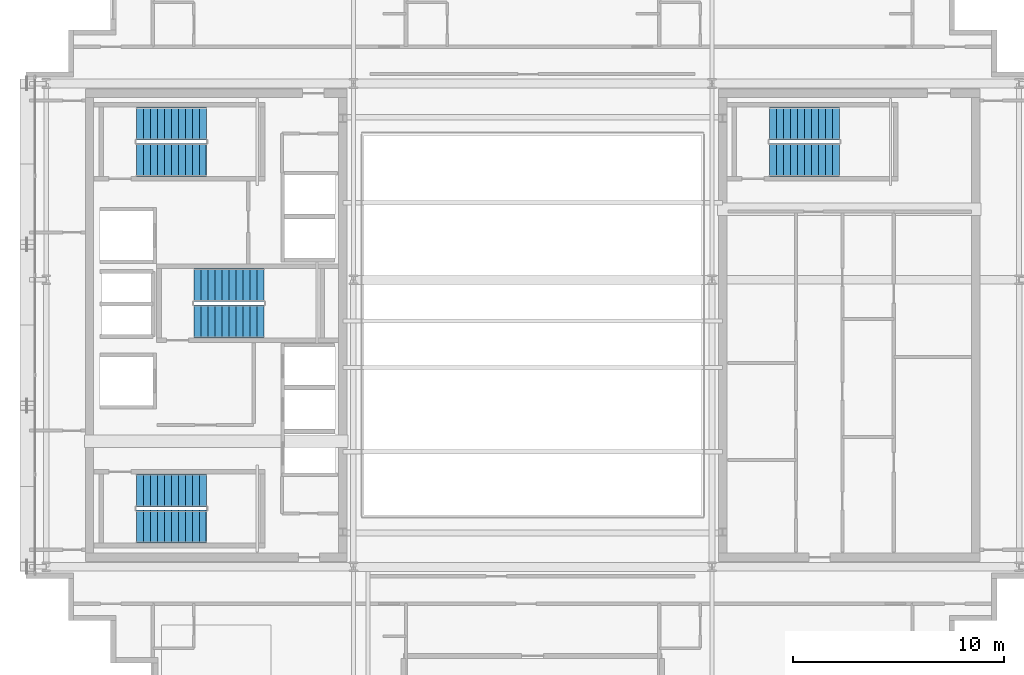
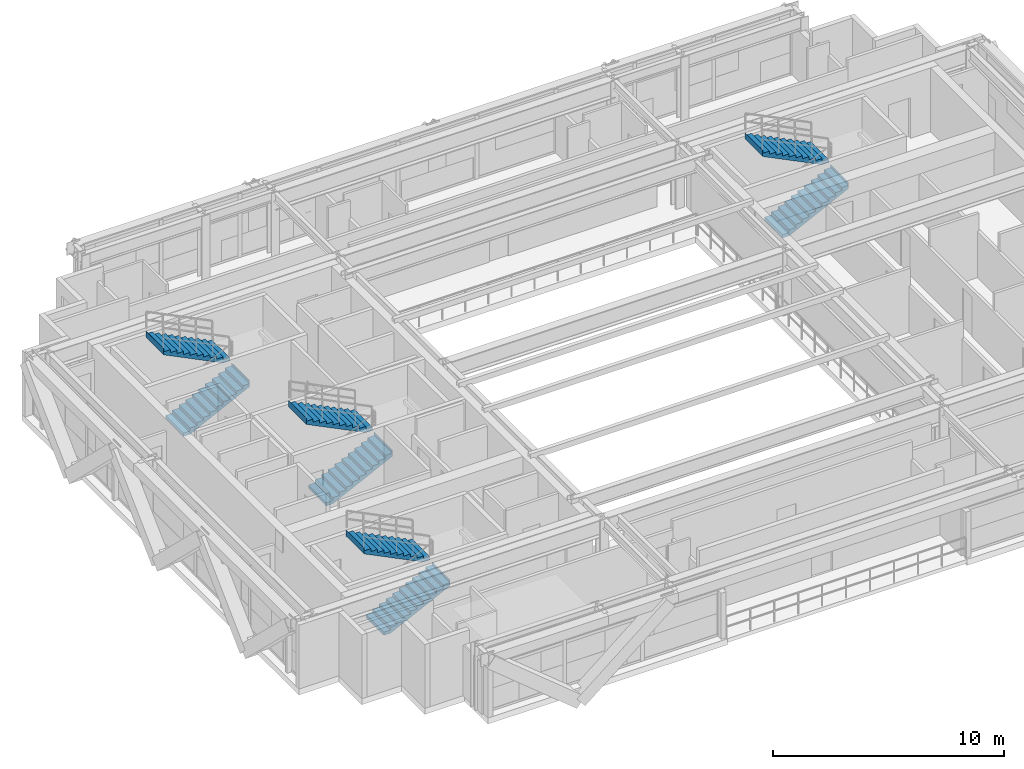
# One storey, part 25 of 29: 8 stair flights, 4 elements without a shape of their own.
"""IFC4 building model written with IfcOpenShell, lengths in metres."""

from ifc_helpers import new_model, si_unit, direction, frame, origin, place, context, subcontext, project, spatial, polyline, outline, extrude, source, transform, mapped, material, type_object, element, aggregate, save


model = new_model("IFC4")

# Units and contexts
model_context = context("Model", 3, precision=1e-05, world=origin(), true_north=direction((0.0, 1.0)))
body_context = subcontext(model_context, "Body", "Model", "MODEL_VIEW")
ifc_project = project(units=[si_unit("LENGTHUNIT", "METRE"), si_unit("AREAUNIT", "SQUARE_METRE"), si_unit("VOLUMEUNIT", "CUBIC_METRE"), si_unit("PLANEANGLEUNIT", "RADIAN"), si_unit("MASSUNIT", "GRAM", prefix="KILO")], contexts=[model_context])

# Site, building, storey
site_placement = place(None, origin())
site = spatial("IfcSite", under=ifc_project, at=site_placement, CompositionType="ELEMENT")
building_placement = place(site_placement, origin())
building = spatial("IfcBuilding", under=site, at=building_placement, Name="Ocotamira Hotel", CompositionType="ELEMENT")
storey_placement = place(building_placement, frame((0.0, 0.0, 247.199951171875)))
storey = spatial("IfcBuildingStorey", under=building, at=storey_placement, Name="L62", CompositionType="ELEMENT", Elevation=247.199951171875)

# Stair, stair flights
ifc_material = material(Name="Concrete C40/50", Category="concrete")
stair_type = type_object("IfcStairType", Name="ST-CORE-1560", PredefinedType="HALF_TURN_STAIR", material=ifc_material)
stair_1_placement = place(storey_placement, origin())
stair_1 = element("IfcStair", 1, at=stair_1_placement, inside=storey, type_object=stair_type, Name="L62 Exit Stair ST-1", PredefinedType="HALF_TURN_STAIR")
stair_flight_type = type_object("IfcStairFlightType", Name="STF-CORE-1560", PredefinedType="STRAIGHT", material=ifc_material)
shared_shape = source(origin(), body_context, "Body", "SweptSolid", [
    extrude(outline(polyline([(-0.00390625, 0.0), (-0.00390625, 0.16357421875), (0.330078125, 0.16357421875), (0.330078125, 0.327392578125), (0.659912109375, 0.327392578125), (0.659912109375, 0.490966796875), (0.989990234375, 0.490966796875), (0.989990234375, 0.654541015625), (1.320068359375, 0.654541015625), (1.320068359375, 0.818115234375), (1.64990234375, 0.818115234375), (1.64990234375, 0.98193359375), (1.97998046875, 0.98193359375), (1.97998046875, 1.1455078125), (2.31005859375, 1.1455078125), (2.31005859375, 1.30908203125), (2.639892578125, 1.30908203125), (2.639892578125, 1.47265625), (2.969970703125, 1.47265625), (2.969970703125, 1.636474609375), (3.300048828125, 1.636474609375), (3.300048828125, 1.800048828125), (3.303955078125, 1.800048828125), (3.303955078125, 1.468994140625), (0.33740234375, 0.0), (-0.00390625, 0.0)])), frame((0.0, 0.780029296875, 0.0), z_axis=(0.0, -1.0, 0.0), x_axis=(1.0, 0.0, 0.0)), (0.0, 0.0, 1.0), 1.56005859375),
])
stair_flight_1_placement = place(storey_placement, frame((13.22998046875, 16.449951171875, 0.0), z_axis=(0.0, 0.0, 1.0), x_axis=(1.0, 0.0, 0.0)))
stair_flight_1 = element("IfcStairFlight", 2, at=stair_flight_1_placement, type_object=stair_flight_type, Name="ST-1 flight 1", NumberOfRisers=11, NumberOfTreads=10, PredefinedType="STRAIGHT", RiserHeight=0.163636364, TreadLength=0.33, context=body_context, shape_type="MappedRepresentation", body=[
    mapped(shared_shape, transform((0.0, 0.0, 0.0), scale=1.0)),
])
stair_flight_2_placement = place(storey_placement, frame((16.530029296875, 18.169921875, 1.800048828125), z_axis=(0.0, 0.0, 1.0), x_axis=(-1.0, 0.0, 0.0)))
stair_flight_2 = element("IfcStairFlight", 3, at=stair_flight_2_placement, type_object=stair_flight_type, Name="ST-1 flight 2", NumberOfRisers=11, NumberOfTreads=10, PredefinedType="STRAIGHT", RiserHeight=0.163636364, TreadLength=0.33, context=body_context, shape_type="MappedRepresentation", body=[
    mapped(shared_shape, transform((0.0, 0.0, 0.0), scale=1.0)),
])
aggregate(stair_1, [stair_flight_1, stair_flight_2])

stair_2_placement = place(storey_placement, origin())
stair_2 = element("IfcStair", 4, at=stair_2_placement, inside=storey, type_object=stair_type, Name="L62 Exit Stair ST-2", PredefinedType="HALF_TURN_STAIR")
stair_flight_3_placement = place(storey_placement, frame((13.22998046875, 33.830078125, 0.0), z_axis=(0.0, 0.0, 1.0), x_axis=(1.0, 0.0, 0.0)))
stair_flight_3 = element("IfcStairFlight", 5, at=stair_flight_3_placement, type_object=stair_flight_type, Name="ST-2 flight 1", NumberOfRisers=11, NumberOfTreads=10, PredefinedType="STRAIGHT", RiserHeight=0.163636364, TreadLength=0.33, context=body_context, shape_type="MappedRepresentation", body=[
    mapped(shared_shape, transform((0.0, 0.0, 0.0), scale=1.0)),
])
stair_flight_4_placement = place(storey_placement, frame((16.530029296875, 35.550048828125, 1.800048828125), z_axis=(0.0, 0.0, 1.0), x_axis=(-1.0, 0.0, 0.0)))
stair_flight_4 = element("IfcStairFlight", 6, at=stair_flight_4_placement, type_object=stair_flight_type, Name="ST-2 flight 2", NumberOfRisers=11, NumberOfTreads=10, PredefinedType="STRAIGHT", RiserHeight=0.163636364, TreadLength=0.33, context=body_context, shape_type="MappedRepresentation", body=[
    mapped(shared_shape, transform((0.0, 0.0, 0.0), scale=1.0)),
])
aggregate(stair_2, [stair_flight_3, stair_flight_4])

stair_3_placement = place(storey_placement, origin())
stair_3 = element("IfcStair", 7, at=stair_3_placement, inside=storey, type_object=stair_type, Name="L62 Exit Stair ST-3", PredefinedType="HALF_TURN_STAIR")
stair_flight_5_placement = place(storey_placement, frame((15.9599609375, 26.179931640625, 0.0), z_axis=(0.0, 0.0, 1.0), x_axis=(1.0, 0.0, 0.0)))
stair_flight_5 = element("IfcStairFlight", 8, at=stair_flight_5_placement, type_object=stair_flight_type, Name="ST-3 flight 1", NumberOfRisers=11, NumberOfTreads=10, PredefinedType="STRAIGHT", RiserHeight=0.163636364, TreadLength=0.33, context=body_context, shape_type="MappedRepresentation", body=[
    mapped(shared_shape, transform((0.0, 0.0, 0.0), scale=1.0)),
])
stair_flight_6_placement = place(storey_placement, frame((19.260009765625, 27.89990234375, 1.800048828125), z_axis=(0.0, 0.0, 1.0), x_axis=(-1.0, 0.0, 0.0)))
stair_flight_6 = element("IfcStairFlight", 9, at=stair_flight_6_placement, type_object=stair_flight_type, Name="ST-3 flight 2", NumberOfRisers=11, NumberOfTreads=10, PredefinedType="STRAIGHT", RiserHeight=0.163636364, TreadLength=0.33, context=body_context, shape_type="MappedRepresentation", body=[
    mapped(shared_shape, transform((0.0, 0.0, 0.0), scale=1.0)),
])
aggregate(stair_3, [stair_flight_5, stair_flight_6])

stair_4_placement = place(storey_placement, origin())
stair_4 = element("IfcStair", 10, at=stair_4_placement, inside=storey, type_object=stair_type, Name="L62 Exit Stair ST-4", PredefinedType="HALF_TURN_STAIR")
stair_flight_7_placement = place(storey_placement, frame((43.22998046875, 33.830078125, 0.0), z_axis=(0.0, 0.0, 1.0), x_axis=(1.0, 0.0, 0.0)))
stair_flight_7 = element("IfcStairFlight", 11, at=stair_flight_7_placement, type_object=stair_flight_type, Name="ST-4 flight 1", NumberOfRisers=11, NumberOfTreads=10, PredefinedType="STRAIGHT", RiserHeight=0.163636364, TreadLength=0.33, context=body_context, shape_type="MappedRepresentation", body=[
    mapped(shared_shape, transform((0.0, 0.0, 0.0), scale=1.0)),
])
stair_flight_8_placement = place(storey_placement, frame((46.530029296875, 35.550048828125, 1.800048828125), z_axis=(0.0, 0.0, 1.0), x_axis=(-1.0, 0.0, 0.0)))
stair_flight_8 = element("IfcStairFlight", 12, at=stair_flight_8_placement, type_object=stair_flight_type, Name="ST-4 flight 2", NumberOfRisers=11, NumberOfTreads=10, PredefinedType="STRAIGHT", RiserHeight=0.163636364, TreadLength=0.33, context=body_context, shape_type="MappedRepresentation", body=[
    mapped(shared_shape, transform((0.0, 0.0, 0.0), scale=1.0)),
])
aggregate(stair_4, [stair_flight_7, stair_flight_8])

save(model, "model.ifc")
